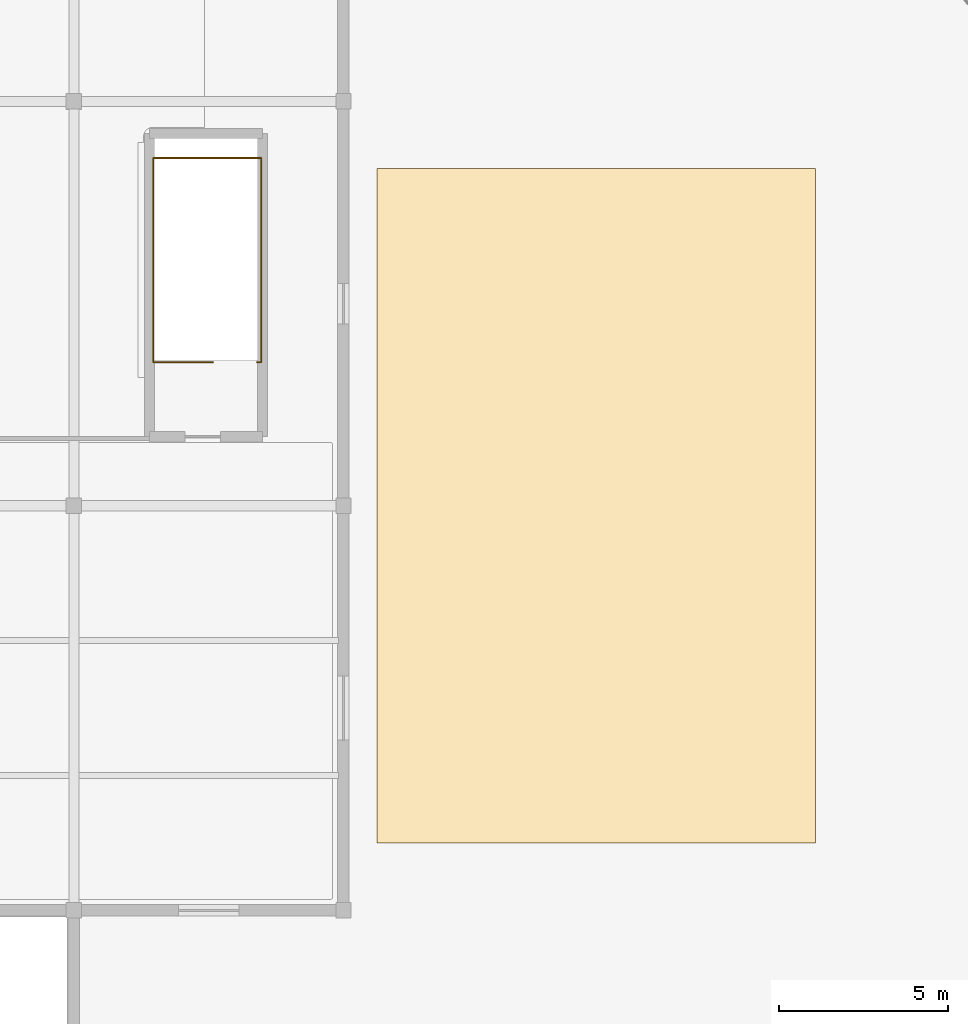
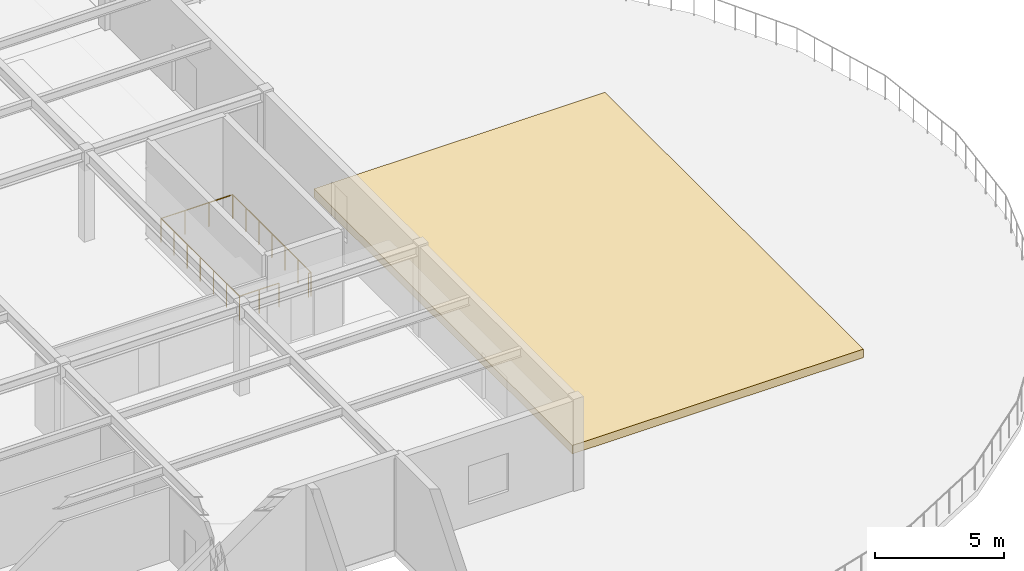
# One storey, part 12 of 16: 1 covering, 1 railing.
"""IFC4 building model written with IfcOpenShell, lengths in metres."""

from ifc_helpers import new_model, si_unit, direction, frame, origin, origin_2d, place, context, subcontext, project, spatial, polyline, circle, outline, extrude, material, layer, layer_set, type_object, element, save


model = new_model("IFC4")

# Units and contexts
model_context = context("Model", 3, precision=1e-05, world=origin(), true_north=direction((0.0, 1.0)))
body_context = subcontext(model_context, "Body", "Model", "MODEL_VIEW")
ifc_project = project(units=[si_unit("LENGTHUNIT", "METRE"), si_unit("AREAUNIT", "SQUARE_METRE"), si_unit("VOLUMEUNIT", "CUBIC_METRE"), si_unit("PLANEANGLEUNIT", "RADIAN"), si_unit("MASSUNIT", "GRAM", prefix="KILO")], contexts=[model_context])

# Site, building, storey
site_placement = place(None, origin())
site = spatial("IfcSite", under=ifc_project, at=site_placement, CompositionType="ELEMENT")
building_placement = place(site_placement, origin())
building = spatial("IfcBuilding", under=site, at=building_placement, Name="Keelwater Ferry Terminal", CompositionType="ELEMENT")
storey_placement = place(building_placement, frame((0.0, 0.0, 15.0)))
storey = spatial("IfcBuildingStorey", under=building, at=storey_placement, Name="L03", CompositionType="ELEMENT", Elevation=15.0)

# Railing
ifc_material_1 = material(Name="Painted Steel S355", Category="steel")
railing_type = type_object("IfcRailingType", Name="GR-115 Stair Well Guardrail", PredefinedType="GUARDRAIL", material=ifc_material_1)
railing_placement = place(storey_placement, frame((160.1298828125, 70.260009765625, 0.0)))
element("IfcRailing", 1, at=railing_placement, inside=storey, type_object=railing_type, Name="Stair ST-E5-L02 Top Well Guard 103", PredefinedType="GUARDRAIL", context=body_context, shape_type="SweptSolid", body=[
    extrude(circle(Radius=0.02392578125, at=origin_2d()), frame((0.0, 0.0, 1.1259765625), z_axis=(-1.0, 0.0, 0.0), x_axis=(0.0, -1.0, 0.0)), (0.0, 0.0, 1.0), 1.769775390625),
    extrude(circle(Radius=0.02392578125, at=origin_2d()), frame((-1.769775390625, 0.0, 1.1259765625), z_axis=(0.0, 1.0, 0.0), x_axis=(-1.0, 0.0, 0.0)), (0.0, 0.0, 1.0), 6.06005859375),
    extrude(circle(Radius=0.02392578125, at=origin_2d()), frame((-1.769775390625, 6.06005859375, 1.1259765625), z_axis=(1.0, 0.0, 0.0), x_axis=(0.0, 1.0, 0.0)), (0.0, 0.0, 1.0), 3.199951171875),
    extrude(circle(Radius=0.02392578125, at=origin_2d()), frame((1.43017578125, 6.06005859375, 1.1259765625), z_axis=(0.0, -1.0, 0.0), x_axis=(1.0, 0.0, 0.0)), (0.0, 0.0, 1.0), 6.06005859375),
    extrude(circle(Radius=0.02392578125, at=origin_2d()), frame((1.43017578125, 0.0, 1.1259765625), z_axis=(-1.0, 0.0, 0.0), x_axis=(0.0, -1.0, 0.0)), (0.0, 0.0, 1.0), 0.1201171875),
    extrude(circle(Radius=0.02099609375, at=origin_2d()), origin(), (0.0, 0.0, 1.0), 1.101806640625),
    extrude(circle(Radius=0.02099609375, at=origin_2d()), frame((-0.884765625, 0.0, 0.0)), (0.0, 0.0, 1.0), 1.101806640625),
    extrude(circle(Radius=0.02099609375, at=origin_2d()), frame((-1.769775390625, 0.0, 0.0)), (0.0, 0.0, 1.0), 1.101806640625),
    extrude(circle(Radius=0.02099609375, at=origin_2d()), frame((-1.769775390625, 1.010009765625, 0.0)), (0.0, 0.0, 1.0), 1.101806640625),
    extrude(circle(Radius=0.02099609375, at=origin_2d()), frame((-1.769775390625, 2.02001953125, 0.0)), (0.0, 0.0, 1.0), 1.101806640625),
    extrude(circle(Radius=0.02099609375, at=origin_2d()), frame((-1.769775390625, 3.030029296875, 0.0)), (0.0, 0.0, 1.0), 1.101806640625),
    extrude(circle(Radius=0.02099609375, at=origin_2d()), frame((-1.769775390625, 4.0400390625, 0.0)), (0.0, 0.0, 1.0), 1.101806640625),
    extrude(circle(Radius=0.02099609375, at=origin_2d()), frame((-1.769775390625, 5.050048828125, 0.0)), (0.0, 0.0, 1.0), 1.101806640625),
    extrude(circle(Radius=0.02099609375, at=origin_2d()), frame((-1.769775390625, 6.06005859375, 0.0)), (0.0, 0.0, 1.0), 1.101806640625),
    extrude(circle(Radius=0.02099609375, at=origin_2d()), frame((-0.703125, 6.06005859375, 0.0)), (0.0, 0.0, 1.0), 1.101806640625),
    extrude(circle(Radius=0.02099609375, at=origin_2d()), frame((0.363525390625, 6.06005859375, 0.0)), (0.0, 0.0, 1.0), 1.101806640625),
    extrude(circle(Radius=0.02099609375, at=origin_2d()), frame((1.43017578125, 6.06005859375, 0.0)), (0.0, 0.0, 1.0), 1.101806640625),
    extrude(circle(Radius=0.02099609375, at=origin_2d()), frame((1.43017578125, 5.050048828125, 0.0)), (0.0, 0.0, 1.0), 1.101806640625),
    extrude(circle(Radius=0.02099609375, at=origin_2d()), frame((1.43017578125, 4.0400390625, 0.0)), (0.0, 0.0, 1.0), 1.101806640625),
    extrude(circle(Radius=0.02099609375, at=origin_2d()), frame((1.43017578125, 3.030029296875, 0.0)), (0.0, 0.0, 1.0), 1.101806640625),
    extrude(circle(Radius=0.02099609375, at=origin_2d()), frame((1.43017578125, 2.02001953125, 0.0)), (0.0, 0.0, 1.0), 1.101806640625),
    extrude(circle(Radius=0.02099609375, at=origin_2d()), frame((1.43017578125, 1.010009765625, 0.0)), (0.0, 0.0, 1.0), 1.101806640625),
    extrude(circle(Radius=0.02099609375, at=origin_2d()), frame((1.43017578125, 0.0, 0.0)), (0.0, 0.0, 1.0), 1.101806640625),
    extrude(circle(Radius=0.02099609375, at=origin_2d()), frame((1.31005859375, 0.0, 0.0)), (0.0, 0.0, 1.0), 1.101806640625),
])

# Covering
ifc_material_2 = material(Name="Planted sedum green roof substrate", Category="earth")
ifc_layer = layer(ifc_material_2, 0.39990234375)
ifc_layer_set = layer_set([ifc_layer], Name="Planted sedum green roof substrate")
covering_type = type_object("IfcCoveringType", Name="GR-BED Planted Green Roof Bed", PredefinedType="ROOFING", material=ifc_layer_set)
covering_placement = place(storey_placement, origin())
element("IfcCovering", 2, at=covering_placement, inside=storey, type_object=covering_type, Name="Planted Green Roof Bed 3", PredefinedType="ROOFING", context=body_context, shape_type="SweptSolid", body=[
    extrude(outline(polyline([(165.0, 56.0), (178.0, 56.0), (178.0, 76.0), (165.0, 76.0), (165.0, 56.0)])), origin(), (0.0, 0.0, 1.0), 0.39990234375),
])

save(model, "model.ifc")
